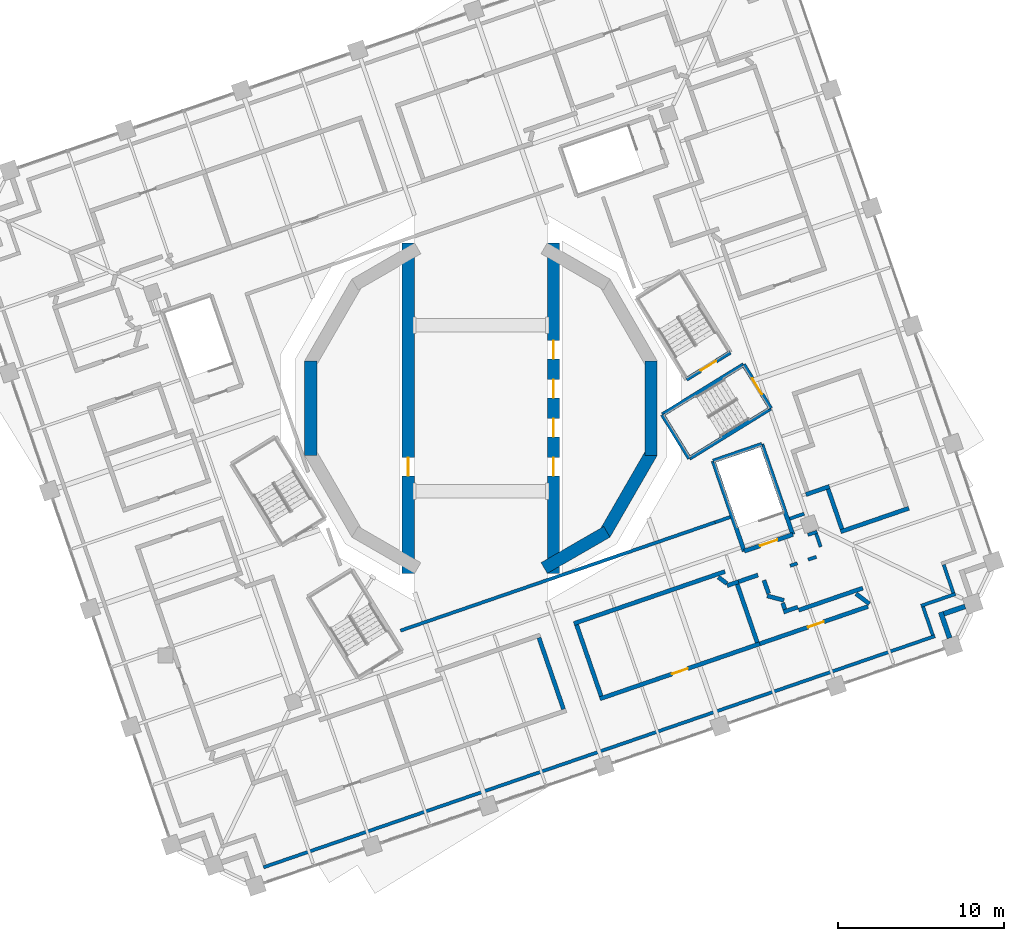
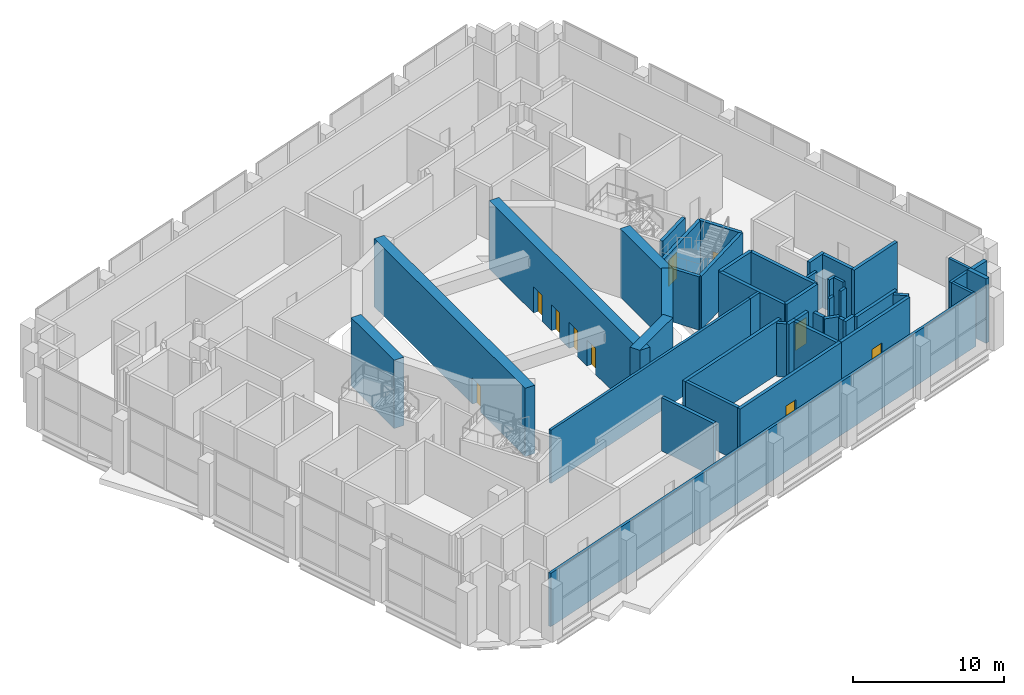
# One storey, part 12 of 20: 46 walls, 10 doors, 10 openings.
"""IFC4 building model written with IfcOpenShell, lengths in metres."""

from ifc_helpers import new_model, si_unit, direction, frame, frame_2d, origin, place, context, subcontext, project, spatial, rectangle, extrude, material, layer, layer_set, type_object, element, fill, save


model = new_model("IFC4")

# Units and contexts
model_context = context("Model", 3, precision=1e-05, world=origin(), true_north=direction((0.0, 1.0)))
body_context = subcontext(model_context, "Body", "Model", "MODEL_VIEW")
ifc_project = project(units=[si_unit("LENGTHUNIT", "METRE"), si_unit("AREAUNIT", "SQUARE_METRE"), si_unit("VOLUMEUNIT", "CUBIC_METRE"), si_unit("PLANEANGLEUNIT", "RADIAN"), si_unit("MASSUNIT", "GRAM", prefix="KILO")], contexts=[model_context])

# Site, building, storey
site_placement = place(None, origin())
site = spatial("IfcSite", under=ifc_project, at=site_placement, CompositionType="ELEMENT")
building_placement = place(site_placement, origin())
building = spatial("IfcBuilding", under=site, at=building_placement, Name="Cantera Rosa Tower", CompositionType="ELEMENT")
storey_placement = place(building_placement, frame((0.0, 0.0, 142.10009765625)))
storey = spatial("IfcBuildingStorey", under=building, at=storey_placement, Name="L30", CompositionType="ELEMENT", Elevation=142.10009765625)

# Walls
ifc_material_1 = material(Name="Masonry blockwork", Category="masonry")
ifc_layer_1 = layer(ifc_material_1, 0.199951171875)
ifc_layer_set_1 = layer_set([ifc_layer_1], Name="Blockwork partition 200")
wall_type_1 = type_object("IfcWallType", Name="Blockwork partition 200", PredefinedType="PARTITIONING", material=ifc_layer_set_1)
wall_1_placement = place(storey_placement, frame((-4.8505859375, -13.409912109375, 0.0), z_axis=(0.0, 0.0, 1.0), x_axis=(0.945515345309, 0.325577535751, 0.0)))
element("IfcWall", 1, at=wall_1_placement, inside=storey, type_object=wall_type_1, Name="Partition L30-6", PredefinedType="PARTITIONING", context=body_context, shape_type="SweptSolid", body=[
    extrude(rectangle(XDim=20.05224609375, YDim=0.199951171875, at=frame_2d((10.026123046875, 0.0))), origin(), (0.0, 0.0, 1.0), 4.2998046875),
])
wall_2_placement = place(storey_placement, frame((14.109130859375, -6.88134765625, 0.0), z_axis=(0.0, 0.0, 1.0), x_axis=(0.945500872675, 0.325619562943, 0.0)))
element("IfcWall", 2, at=wall_2_placement, inside=storey, type_object=wall_type_1, Name="Partition L30-7", PredefinedType="PARTITIONING", context=body_context, shape_type="SweptSolid", body=[
    extrude(rectangle(XDim=0.97314453125, YDim=0.199951171875, at=frame_2d((0.486572265625, 0.0))), origin(), (0.0, 0.0, 1.0), 4.2998046875),
])
for number, where, z_axis, x_axis, name in (
    (3, (27.23681640625, -13.677734375, 0.0), (0.0, 0.0, 1.0), (-0.32553083102, 0.945531426266, 0.0), "Partition L30-125"),
    (4, (28.476806640625, -11.135498046875, 0.0), (0.0, 0.0, 1.0), (-0.32553083102, 0.945531426266, 0.0), "Partition L30-127"),
):
    element("IfcWall", number, at=place(storey_placement, frame(where, z_axis=z_axis, x_axis=x_axis)), inside=storey, type_object=wall_type_1, Name=name, PredefinedType="PARTITIONING", context=body_context, shape_type="SweptSolid", body=[
        extrude(rectangle(XDim=1.800048828125, YDim=0.199951171875, at=frame_2d((0.89990234375, 0.0))), origin(), (0.0, 0.0, 1.0), 4.2998046875),
    ])
wall_3_placement = place(storey_placement, frame((26.523681640625, -11.913818359375, 0.0), z_axis=(0.0, 0.0, 1.0), x_axis=(0.945519108217, 0.325566607618, 0.0)))
element("IfcWall", 5, at=wall_3_placement, inside=storey, type_object=wall_type_1, Name="Partition L30-131", PredefinedType="PARTITIONING", context=body_context, shape_type="SweptSolid", body=[
    extrude(rectangle(XDim=2.2001953125, YDim=0.199951171875, at=frame_2d((1.10009765625, 0.0))), origin(), (0.0, 0.0, 1.0), 4.2998046875),
])
wall_4_placement = place(storey_placement, frame((-13.104248046875, -27.674072265625, 0.0), z_axis=(0.0, 0.0, 1.0), x_axis=(0.945518674851, 0.325567866209, 0.0)))
element("IfcWall", 6, at=wall_4_placement, inside=storey, type_object=wall_type_1, Name="Partition L30-132", PredefinedType="PARTITIONING", context=body_context, shape_type="SweptSolid", body=[
    extrude(rectangle(XDim=42.800048828125, YDim=0.199951171875, at=frame_2d((21.39990234375, 0.0))), origin(), (0.0, 0.0, 1.0), 4.2998046875),
])
wall_5_placement = place(storey_placement, frame((19.7109375, -7.638916015625, 0.0), z_axis=(0.0, 0.0, 1.0), x_axis=(0.945618991409, 0.325276379539, 0.0)))
element("IfcWall", 7, at=wall_5_placement, inside=storey, type_object=wall_type_1, Name="Partition L30-133", PredefinedType="PARTITIONING", context=body_context, shape_type="SweptSolid", body=[
    extrude(rectangle(XDim=0.58984375, YDim=0.199951171875, at=frame_2d((0.294921875, 0.0))), origin(), (0.0, 0.0, 1.0), 4.2998046875),
])
wall_6_placement = place(storey_placement, frame((18.64501953125, -9.50244140625, 0.0), z_axis=(0.0, 0.0, 1.0), x_axis=(0.945578217831, 0.325394889271, 0.0)))
element("IfcWall", 8, at=wall_6_placement, inside=storey, type_object=wall_type_1, Name="Partition L30-134", PredefinedType="PARTITIONING", context=body_context, shape_type="SweptSolid", body=[
    extrude(rectangle(XDim=0.45458984375, YDim=0.199951171875, at=frame_2d((0.227294921875, 0.0))), origin(), (0.0, 0.0, 1.0), 4.2998046875),
])
wall_7_placement = place(storey_placement, frame((19.721435546875, -9.1318359375, 0.0), z_axis=(0.0, 0.0, 1.0), x_axis=(0.945624175408, 0.325261308617, 0.0)))
element("IfcWall", 9, at=wall_7_placement, inside=storey, type_object=wall_type_1, Name="Partition L30-135", PredefinedType="PARTITIONING", context=body_context, shape_type="SweptSolid", body=[
    extrude(rectangle(XDim=0.526123046875, YDim=0.199951171875, at=frame_2d((0.26318359375, 0.0))), origin(), (0.0, 0.0, 1.0), 4.2998046875),
])
wall_8_placement = place(storey_placement, frame((20.47705078125, -8.35888671875, 0.0), z_axis=(0.0, 0.0, 1.0), x_axis=(-0.325564663689, 0.94551977756, 0.0)))
element("IfcWall", 10, at=wall_8_placement, inside=storey, type_object=wall_type_1, Name="Partition L30-136", PredefinedType="PARTITIONING", context=body_context, shape_type="SweptSolid", body=[
    extrude(rectangle(XDim=0.830078125, YDim=0.199951171875, at=frame_2d((0.4150390625, 0.0))), origin(), (0.0, 0.0, 1.0), 4.2998046875),
])
wall_9_placement = place(storey_placement, frame((18.60888671875, -6.66455078125, 0.0), z_axis=(0.0, 0.0, 1.0), x_axis=(0.945549572444, 0.325478119158, 0.0)))
element("IfcWall", 11, at=wall_9_placement, inside=storey, type_object=wall_type_1, Name="Partition L30-137", PredefinedType="PARTITIONING", context=body_context, shape_type="SweptSolid", body=[
    extrude(rectangle(XDim=0.9248046875, YDim=0.199951171875, at=frame_2d((0.46240234375, 0.0))), origin(), (0.0, 0.0, 1.0), 4.2998046875),
])
ifc_material_2 = material(Name="Hollow clay masonry with cantera stone cladding", Category="masonry")
ifc_layer_2 = layer(ifc_material_2, 0.300048828125)
ifc_layer_set_2 = layer_set([ifc_layer_2], Name="EW-LOGGIA 300")
wall_type_2 = type_object("IfcWallType", Name="EW-LOGGIA 300", PredefinedType="SOLIDWALL", material=ifc_layer_set_2)
wall_10_placement = place(storey_placement, frame((28.250732421875, -13.857421875, 0.0), z_axis=(0.0, 0.0, 1.0), x_axis=(-0.325666906351, 0.945484566827, 0.0)))
element("IfcWall", 12, at=wall_10_placement, inside=storey, type_object=wall_type_2, Name="EN-L30-W29a", PredefinedType="SOLIDWALL", context=body_context, shape_type="SweptSolid", body=[
    extrude(rectangle(XDim=1.64990234375, YDim=0.300048828125, at=frame_2d((0.824951171875, 0.0))), origin(), (0.0, 0.0, 1.0), 5.199951171875),
])
wall_11_placement = place(storey_placement, frame((27.904052734375, -12.390380859375, 0.0), z_axis=(0.0, 0.0, 1.0), x_axis=(0.945545797087, 0.325489086777, 0.0)))
element("IfcWall", 13, at=wall_11_placement, inside=storey, type_object=wall_type_2, Name="EN-L30-W29b", PredefinedType="SOLIDWALL", context=body_context, shape_type="SweptSolid", body=[
    extrude(rectangle(XDim=1.35009765625, YDim=0.300048828125, at=frame_2d((0.675048828125, 0.0))), origin(), (0.0, 0.0, 1.0), 5.199951171875),
])
ifc_material_3 = material(Name="Masonry blockwork", Category="masonry")
ifc_layer_3 = layer(ifc_material_3, 0.25)
ifc_layer_set_3 = layer_set([ifc_layer_3], Name="Fire-rated wall 250")
wall_type_3 = type_object("IfcWallType", Name="Fire-rated wall 250", PredefinedType="PARTITIONING", material=ifc_layer_set_3)
wall_12_placement = place(storey_placement, frame((4.977783203125, -18.142822265625, 0.0), z_axis=(0.0, 0.0, 1.0), x_axis=(-0.325549115789, 0.945525130924, 0.0)))
element("IfcWall", 14, at=wall_12_placement, inside=storey, type_object=wall_type_3, Name="Fire wall L30-41", PredefinedType="PARTITIONING", context=body_context, shape_type="SweptSolid", body=[
    extrude(rectangle(XDim=4.5498046875, YDim=0.25, at=frame_2d((2.27490234375, 0.0))), origin(), (0.0, 0.0, 1.0), 4.2998046875),
])
wall_13_placement = place(storey_placement, frame((16.655029296875, -14.1220703125, 0.0), z_axis=(0.0, 0.0, 1.0), x_axis=(-0.325523563079, 0.945533928466, 0.0)))
element("IfcWall", 15, at=wall_13_placement, inside=storey, type_object=wall_type_3, Name="Fire wall L30-43", PredefinedType="PARTITIONING", context=body_context, shape_type="SweptSolid", body=[
    extrude(rectangle(XDim=3.705078125, YDim=0.25, at=frame_2d((1.8525390625, 0.0))), origin(), (0.0, 0.0, 1.0), 4.2998046875),
])
wall_14_placement = place(storey_placement, frame((7.247314453125, -17.361328125, 0.0), z_axis=(0.0, 0.0, 1.0), x_axis=(-0.325597086626, 0.94550861296, 0.0)))
element("IfcWall", 16, at=wall_14_placement, inside=storey, type_object=wall_type_3, Name="Fire wall L30-47", PredefinedType="PARTITIONING", context=body_context, shape_type="SweptSolid", body=[
    extrude(rectangle(XDim=4.550048828125, YDim=0.25, at=frame_2d((2.27490234375, 0.0))), origin(), (0.0, 0.0, 1.0), 4.2998046875),
])
wall_15_placement = place(storey_placement, frame((23.41552734375, -11.794189453125, 0.0), z_axis=(0.0, 0.0, 1.0), x_axis=(-0.798630919601, 0.601821114831, 0.0)))
element("IfcWall", 17, at=wall_15_placement, inside=storey, type_object=wall_type_3, Name="Fire wall L30-49", PredefinedType="PARTITIONING", context=body_context, shape_type="SweptSolid", body=[
    extrude(rectangle(XDim=1.00732421875, YDim=0.25, at=frame_2d((0.503662109375, 0.0))), origin(), (0.0, 0.0, 1.0), 4.2998046875),
])
wall_16_placement = place(storey_placement, frame((21.75830078125, -7.288330078125, 0.0), z_axis=(0.0, 0.0, 1.0), x_axis=(-0.325604144092, 0.945506182608, 0.0)))
element("IfcWall", 18, at=wall_16_placement, inside=storey, type_object=wall_type_3, Name="Fire wall L30-56", PredefinedType="PARTITIONING", context=body_context, shape_type="SweptSolid", body=[
    extrude(rectangle(XDim=2.550048828125, YDim=0.25, at=frame_2d((1.27490234375, 0.0))), origin(), (0.0, 0.0, 1.0), 4.2998046875),
])
wall_17_placement = place(storey_placement, frame((5.60693359375, -12.981689453125, 0.0), z_axis=(0.0, 0.0, 1.0), x_axis=(0.945527088847, 0.325543429141, 0.0)))
element("IfcWall", 19, at=wall_17_placement, inside=storey, type_object=wall_type_3, Name="Fire wall L30-66", PredefinedType="PARTITIONING", context=body_context, shape_type="SweptSolid", body=[
    extrude(rectangle(XDim=9.623291015625, YDim=0.25, at=frame_2d((4.8115234375, 0.0))), origin(), (0.0, 0.0, 1.0), 4.2998046875),
])
wall_18_placement = place(storey_placement, frame((21.680908203125, -7.447265625, 0.0), z_axis=(0.0, 0.0, 1.0), x_axis=(0.945510679032, 0.325591086849, 0.0)))
element("IfcWall", 20, at=wall_18_placement, inside=storey, type_object=wall_type_3, Name="Fire wall L30-67", PredefinedType="PARTITIONING", context=body_context, shape_type="SweptSolid", body=[
    extrude(rectangle(XDim=4.349853515625, YDim=0.25, at=frame_2d((2.1748046875, 0.0))), origin(), (0.0, 0.0, 1.0), 4.2998046875),
])
wall_19_placement = place(storey_placement, frame((19.59228515625, -5.205078125, 0.0), z_axis=(0.0, 0.0, 1.0), x_axis=(0.945484008051, 0.325668528598, 0.0)))
element("IfcWall", 21, at=wall_19_placement, inside=storey, type_object=wall_type_3, Name="Fire wall L30-68", PredefinedType="PARTITIONING", context=body_context, shape_type="SweptSolid", body=[
    extrude(rectangle(XDim=1.494873046875, YDim=0.25, at=frame_2d((0.74755859375, 0.0))), origin(), (0.0, 0.0, 1.0), 4.2998046875),
])
wall_20_placement = place(storey_placement, frame((17.254150390625, -11.31298828125, 0.0), z_axis=(0.0, 0.0, 1.0), x_axis=(0.965905398438, -0.258895270848, 0.0)))
element("IfcWall", 22, at=wall_20_placement, inside=storey, type_object=wall_type_3, Name="Fire wall L30-84", PredefinedType="PARTITIONING", context=body_context, shape_type="SweptSolid", body=[
    extrude(rectangle(XDim=1.047607421875, YDim=0.25, at=frame_2d((0.52392578125, 0.0))), origin(), (0.0, 0.0, 1.0), 4.2998046875),
])

# Wall, opening, door
wall_21_placement = place(storey_placement, frame((7.169677734375, -17.520263671875, 0.0), z_axis=(0.0, 0.0, 1.0), x_axis=(0.945518381877, 0.325568717067, 0.0)))
wall_21 = element("IfcWall", 23, at=wall_21_placement, inside=storey, type_object=wall_type_3, Name="Fire wall L30-91", PredefinedType="PARTITIONING", context=body_context, shape_type="SweptSolid", body=[
    extrude(rectangle(XDim=10.199951171875, YDim=0.25, at=frame_2d((5.10009765625, 0.0))), origin(), (0.0, 0.0, 1.0), 4.2998046875),
])
opening_1_placement = place(wall_21_placement, frame((4.60009765625, 0.0, 0.0)))
opening_1 = element("IfcOpeningElement", 24, at=opening_1_placement, cuts=wall_21, Name="Opening L30-010", PredefinedType="OPENING", context=body_context, shape_type="SweptSolid", body=[
    extrude(rectangle(XDim=1.0, YDim=2.10009765625, at=frame_2d((0.5, 1.050048828125))), frame((0.0, 0.135009765625, 0.0), z_axis=(0.0, -1.0, 0.0), x_axis=(1.0, 0.0, 0.0)), (0.0, 0.0, 1.0), 0.27001953125),
])
ifc_material_4 = material(Name="Steel S355J2 (EN 10025-2)", Category="steel")
door_type_1 = type_object("IfcDoorType", Name="Fire door 1000x2100", OperationType="NOTDEFINED", PredefinedType="DOOR", material=ifc_material_4)
door_1_placement = place(opening_1_placement, origin())
door_1 = element("IfcDoor", 25, at=door_1_placement, inside=storey, type_object=door_type_1, Name="Door L30-010", OverallHeight=2.10009765625, OverallWidth=1.0, PredefinedType="DOOR", context=body_context, shape_type="SweptSolid", body=[
    extrude(rectangle(XDim=1.0, YDim=2.10009765625, at=frame_2d((0.5, 1.050048828125))), frame((0.0, 0.02490234375, 0.0), z_axis=(0.0, -1.0, 0.0), x_axis=(1.0, 0.0, 0.0)), (0.0, 0.0, 1.0), 0.050048828125),
])
fill(opening_1, door_1)

wall_22_placement = place(storey_placement, frame((16.81396484375, -14.199462890625, 0.0), z_axis=(0.0, 0.0, 1.0), x_axis=(0.94551899045, 0.325566949642, 0.0)))
wall_22 = element("IfcWall", 26, at=wall_22_placement, inside=storey, type_object=wall_type_3, Name="Fire wall L30-92", PredefinedType="PARTITIONING", context=body_context, shape_type="SweptSolid", body=[
    extrude(rectangle(XDim=6.89013671875, YDim=0.25, at=frame_2d((3.445068359375, 0.0))), origin(), (0.0, 0.0, 1.0), 4.2998046875),
])
opening_2_placement = place(wall_22_placement, frame((3.074951171875, 0.0, 0.0)))
opening_2 = element("IfcOpeningElement", 27, at=opening_2_placement, cuts=wall_22, Name="Opening L30-011", PredefinedType="OPENING", context=body_context, shape_type="SweptSolid", body=[
    extrude(rectangle(XDim=1.0, YDim=2.10009765625, at=frame_2d((0.5, 1.050048828125))), frame((0.0, 0.135009765625, 0.0), z_axis=(0.0, -1.0, 0.0), x_axis=(1.0, 0.0, 0.0)), (0.0, 0.0, 1.0), 0.27001953125),
])
door_2_placement = place(opening_2_placement, origin())
door_2 = element("IfcDoor", 28, at=door_2_placement, inside=storey, type_object=door_type_1, Name="Door L30-011", OverallHeight=2.10009765625, OverallWidth=1.0, PredefinedType="DOOR", context=body_context, shape_type="SweptSolid", body=[
    extrude(rectangle(XDim=1.0, YDim=2.10009765625, at=frame_2d((0.5, 1.050048828125))), frame((0.0, 0.02490234375, 0.0), z_axis=(0.0, -1.0, 0.0), x_axis=(1.0, 0.0, 0.0)), (0.0, 0.0, 1.0), 0.050048828125),
])
fill(opening_2, door_2)

# Walls
wall_23_placement = place(storey_placement, frame((14.822265625, -10.5703125, 0.0), z_axis=(0.0, 0.0, 1.0), x_axis=(-0.798619638784, 0.601836084452, 0.0)))
element("IfcWall", 29, at=wall_23_placement, inside=storey, type_object=wall_type_3, Name="Fire wall L30-93", PredefinedType="PARTITIONING", context=body_context, shape_type="SweptSolid", body=[
    extrude(rectangle(XDim=0.6376953125, YDim=0.25, at=frame_2d((0.31884765625, 0.0))), origin(), (0.0, 0.0, 1.0), 4.2998046875),
])
wall_24_placement = place(storey_placement, frame((14.83935546875, -10.696533203125, 0.0), z_axis=(0.0, 0.0, 1.0), x_axis=(0.945615553509, 0.325286373773, 0.0)))
element("IfcWall", 30, at=wall_24_placement, inside=storey, type_object=wall_type_3, Name="Fire wall L30-94", PredefinedType="PARTITIONING", context=body_context, shape_type="SweptSolid", body=[
    extrude(rectangle(XDim=0.7265625, YDim=0.25, at=frame_2d((0.36328125, 0.0))), origin(), (0.0, 0.0, 1.0), 4.2998046875),
])
wall_25_placement = place(storey_placement, frame((15.5263671875, -10.460205078125, 0.0), z_axis=(0.0, 0.0, 1.0), x_axis=(0.945479842525, 0.325680621742, 0.0)))
element("IfcWall", 31, at=wall_25_placement, inside=storey, type_object=wall_type_3, Name="Fire wall L30-95", PredefinedType="PARTITIONING", context=body_context, shape_type="SweptSolid", body=[
    extrude(rectangle(XDim=1.237548828125, YDim=0.25, at=frame_2d((0.61865234375, 0.0))), origin(), (0.0, 0.0, 1.0), 4.2998046875),
])
wall_26_placement = place(storey_placement, frame((17.340087890625, -11.1787109375, 0.0), z_axis=(0.0, 0.0, 1.0), x_axis=(-0.325424612824, 0.94556798876, 0.0)))
element("IfcWall", 32, at=wall_26_placement, inside=storey, type_object=wall_type_3, Name="Fire wall L30-96", PredefinedType="PARTITIONING", context=body_context, shape_type="SweptSolid", body=[
    extrude(rectangle(XDim=0.850830078125, YDim=0.25, at=frame_2d((0.42529296875, 0.0))), origin(), (0.0, 0.0, 1.0), 4.2998046875),
])
wall_27_placement = place(storey_placement, frame((18.320556640625, -12.126220703125, 0.0), z_axis=(0.0, 0.0, 1.0), x_axis=(-0.325433443452, 0.945564949585, 0.0)))
element("IfcWall", 33, at=wall_27_placement, inside=storey, type_object=wall_type_3, Name="Fire wall L30-97", PredefinedType="PARTITIONING", context=body_context, shape_type="SweptSolid", body=[
    extrude(rectangle(XDim=0.405029296875, YDim=0.25, at=frame_2d((0.20263671875, 0.0))), origin(), (0.0, 0.0, 1.0), 4.2998046875),
])
wall_28_placement = place(storey_placement, frame((18.242919921875, -12.28515625, 0.0), z_axis=(0.0, 0.0, 1.0), x_axis=(0.945455986939, 0.325749868398, 0.0)))
element("IfcWall", 34, at=wall_28_placement, inside=storey, type_object=wall_type_3, Name="Fire wall L30-98", PredefinedType="PARTITIONING", context=body_context, shape_type="SweptSolid", body=[
    extrude(rectangle(XDim=0.906005859375, YDim=0.25, at=frame_2d((0.453125, 0.0))), origin(), (0.0, 0.0, 1.0), 4.2998046875),
])
wall_29_placement = place(storey_placement, frame((19.1533203125, -12.17626953125, 0.0), z_axis=(0.0, 0.0, 1.0), x_axis=(0.945519503067, 0.325565460882, 0.0)))
element("IfcWall", 35, at=wall_29_placement, inside=storey, type_object=wall_type_3, Name="Fire wall L30-99", PredefinedType="PARTITIONING", context=body_context, shape_type="SweptSolid", body=[
    extrude(rectangle(XDim=4.087646484375, YDim=0.25, at=frame_2d((2.0439453125, 0.0))), origin(), (0.0, 0.0, 1.0), 4.2998046875),
])
ifc_material_5 = material(Name="Concrete C60/75", Category="concrete")
ifc_layer_4 = layer(ifc_material_5, 0.75)
ifc_layer_set_4 = layer_set([ifc_layer_4], Name="RC CORE WALL 750 C60/75")
wall_type_4 = type_object("IfcWallType", Name="RC CORE WALL 750 C60/75", PredefinedType="SHEAR", material=ifc_layer_set_4)
wall_30_placement = place(storey_placement, frame((-10.250244140625, -2.846923828125, 0.0), z_axis=(0.0, 0.0, 1.0), x_axis=(0.0, 1.0, 0.0)))
element("IfcWall", 36, at=wall_30_placement, inside=storey, type_object=wall_type_4, Name="CW-W3 L30", PredefinedType="SHEAR", context=body_context, shape_type="SweptSolid", body=[
    extrude(rectangle(XDim=5.69384765625, YDim=0.75, at=frame_2d((2.846923828125, 0.0))), origin(), (0.0, 0.0, 1.0), 5.5),
])

# Wall, opening, door
wall_31_placement = place(storey_placement, frame((-4.375, 9.95947265625, 0.0), z_axis=(0.0, 0.0, 1.0), x_axis=(0.0, -1.0, 0.0)))
wall_31 = element("IfcWall", 37, at=wall_31_placement, inside=storey, type_object=wall_type_4, Name="CW-W6 L30", PredefinedType="SHEAR", context=body_context, shape_type="SweptSolid", body=[
    extrude(rectangle(XDim=19.9189453125, YDim=0.75, at=frame_2d((9.95947265625, 0.0))), origin(), (0.0, 0.0, 1.0), 5.5),
])
opening_3_placement = place(wall_31_placement, frame((12.9345703125, 0.0, 0.0)))
opening_3 = element("IfcOpeningElement", 38, at=opening_3_placement, cuts=wall_31, Name="Opening LD-P3-L30", PredefinedType="OPENING", context=body_context, shape_type="SweptSolid", body=[
    extrude(rectangle(XDim=1.10009765625, YDim=2.10009765625, at=frame_2d((0.550048828125, 1.050048828125))), frame((0.0, 0.385009765625, 0.0), z_axis=(0.0, -1.0, 0.0), x_axis=(1.0, 0.0, 0.0)), (0.0, 0.0, 1.0), 0.77001953125),
])
ifc_material_6 = material(Name="Steel S355J2 (EN 10025-2)", Category="steel")
door_type_2 = type_object("IfcDoorType", Name="LANDING DOOR 1100x2100", OperationType="NOTDEFINED", PredefinedType="DOOR", material=ifc_material_6)
door_3_placement = place(opening_3_placement, origin())
door_3 = element("IfcDoor", 39, at=door_3_placement, inside=storey, type_object=door_type_2, Name="LANDING DOOR P3 L30", OperationType="SLIDING_TO_LEFT", OverallHeight=2.10009765625, OverallWidth=1.10009765625, PredefinedType="DOOR", context=body_context, shape_type="SweptSolid", body=[
    extrude(rectangle(XDim=1.10009765625, YDim=2.10009765625, at=frame_2d((0.550048828125, 1.050048828125))), frame((0.0, 0.02490234375, 0.0), z_axis=(0.0, -1.0, 0.0), x_axis=(1.0, 0.0, 0.0)), (0.0, 0.0, 1.0), 0.050048828125),
])
fill(opening_3, door_3)

# Walls
wall_32_placement = place(storey_placement, frame((10.250244140625, 2.846923828125, 0.0), z_axis=(0.0, 0.0, 1.0), x_axis=(0.0, -1.0, 0.0)))
element("IfcWall", 40, at=wall_32_placement, inside=storey, type_object=wall_type_4, Name="CW-E3 L30", PredefinedType="SHEAR", context=body_context, shape_type="SweptSolid", body=[
    extrude(rectangle(XDim=5.69384765625, YDim=0.75, at=frame_2d((2.846923828125, 0.0))), origin(), (0.0, 0.0, 1.0), 5.5),
])
wall_33_placement = place(storey_placement, frame((10.300537109375, -2.659423828125, 0.0), z_axis=(0.0, 0.0, 1.0), x_axis=(-0.500021842983, -0.866012792365, 0.0)))
element("IfcWall", 41, at=wall_33_placement, inside=storey, type_object=wall_type_4, Name="CW-E4 L30", PredefinedType="SHEAR", context=body_context, shape_type="SweptSolid", body=[
    extrude(rectangle(XDim=5.694091796875, YDim=0.75, at=frame_2d((2.84716796875, 0.0))), origin(), (0.0, 0.0, 1.0), 5.5),
])
wall_34_placement = place(storey_placement, frame((7.590576171875, -7.453369140625, 0.0), z_axis=(0.0, 0.0, 1.0), x_axis=(-0.866013176292, -0.50002117804, 0.0)))
element("IfcWall", 42, at=wall_34_placement, inside=storey, type_object=wall_type_4, Name="CW-E5 L30", PredefinedType="SHEAR", context=body_context, shape_type="SweptSolid", body=[
    extrude(rectangle(XDim=4.362548828125, YDim=0.75, at=frame_2d((2.18115234375, 0.0))), origin(), (0.0, 0.0, 1.0), 5.5),
])

# Wall, openings, doors
wall_35_placement = place(storey_placement, frame((4.375, -9.95947265625, 0.0), z_axis=(0.0, 0.0, 1.0), x_axis=(0.0, 1.0, 0.0)))
wall_35 = element("IfcWall", 43, at=wall_35_placement, inside=storey, type_object=wall_type_4, Name="CW-E6 L30", PredefinedType="SHEAR", context=body_context, shape_type="SweptSolid", body=[
    extrude(rectangle(XDim=19.9189453125, YDim=0.75, at=frame_2d((9.95947265625, 0.0))), origin(), (0.0, 0.0, 1.0), 5.5),
])
opening_4_placement = place(wall_35_placement, frame((5.884521484375, 0.0, 0.0)))
opening_4 = element("IfcOpeningElement", 44, at=opening_4_placement, cuts=wall_35, Name="Opening LD-FF1-L30", PredefinedType="OPENING", context=body_context, shape_type="SweptSolid", body=[
    extrude(rectangle(XDim=1.10009765625, YDim=2.10009765625, at=frame_2d((0.550048828125, 1.050048828125))), frame((0.0, 0.385009765625, 0.0), z_axis=(0.0, -1.0, 0.0), x_axis=(1.0, 0.0, 0.0)), (0.0, 0.0, 1.0), 0.77001953125),
])
opening_5_placement = place(wall_35_placement, frame((8.234619140625, 0.0, 0.0)))
opening_5 = element("IfcOpeningElement", 45, at=opening_5_placement, cuts=wall_35, Name="Opening LD-FF2-L30", PredefinedType="OPENING", context=body_context, shape_type="SweptSolid", body=[
    extrude(rectangle(XDim=1.10009765625, YDim=2.10009765625, at=frame_2d((0.550048828125, 1.050048828125))), frame((0.0, 0.385009765625, 0.0), z_axis=(0.0, -1.0, 0.0), x_axis=(1.0, 0.0, 0.0)), (0.0, 0.0, 1.0), 0.77001953125),
])
opening_6_placement = place(wall_35_placement, frame((10.58447265625, 0.0, 0.0)))
opening_6 = element("IfcOpeningElement", 46, at=opening_6_placement, cuts=wall_35, Name="Opening LD-P1-L30", PredefinedType="OPENING", context=body_context, shape_type="SweptSolid", body=[
    extrude(rectangle(XDim=1.10009765625, YDim=2.10009765625, at=frame_2d((0.550048828125, 1.050048828125))), frame((0.0, 0.385009765625, 0.0), z_axis=(0.0, -1.0, 0.0), x_axis=(1.0, 0.0, 0.0)), (0.0, 0.0, 1.0), 0.77001953125),
])
opening_7_placement = place(wall_35_placement, frame((12.9345703125, 0.0, 0.0)))
opening_7 = element("IfcOpeningElement", 47, at=opening_7_placement, cuts=wall_35, Name="Opening LD-P2-L30", PredefinedType="OPENING", context=body_context, shape_type="SweptSolid", body=[
    extrude(rectangle(XDim=1.10009765625, YDim=2.10009765625, at=frame_2d((0.550048828125, 1.050048828125))), frame((0.0, 0.385009765625, 0.0), z_axis=(0.0, -1.0, 0.0), x_axis=(1.0, 0.0, 0.0)), (0.0, 0.0, 1.0), 0.77001953125),
])
door_4_placement = place(opening_4_placement, origin())
door_4 = element("IfcDoor", 48, at=door_4_placement, inside=storey, type_object=door_type_2, Name="LANDING DOOR FF1 L30", OperationType="SLIDING_TO_LEFT", OverallHeight=2.10009765625, OverallWidth=1.10009765625, PredefinedType="DOOR", context=body_context, shape_type="SweptSolid", body=[
    extrude(rectangle(XDim=1.10009765625, YDim=2.10009765625, at=frame_2d((0.550048828125, 1.050048828125))), frame((0.0, 0.02490234375, 0.0), z_axis=(0.0, -1.0, 0.0), x_axis=(1.0, 0.0, 0.0)), (0.0, 0.0, 1.0), 0.050048828125),
])
fill(opening_4, door_4)
door_5_placement = place(opening_5_placement, origin())
door_5 = element("IfcDoor", 49, at=door_5_placement, inside=storey, type_object=door_type_2, Name="LANDING DOOR FF2 L30", OperationType="SLIDING_TO_LEFT", OverallHeight=2.10009765625, OverallWidth=1.10009765625, PredefinedType="DOOR", context=body_context, shape_type="SweptSolid", body=[
    extrude(rectangle(XDim=1.10009765625, YDim=2.10009765625, at=frame_2d((0.550048828125, 1.050048828125))), frame((0.0, 0.02490234375, 0.0), z_axis=(0.0, -1.0, 0.0), x_axis=(1.0, 0.0, 0.0)), (0.0, 0.0, 1.0), 0.050048828125),
])
fill(opening_5, door_5)
door_6_placement = place(opening_6_placement, origin())
door_6 = element("IfcDoor", 50, at=door_6_placement, inside=storey, type_object=door_type_2, Name="LANDING DOOR P1 L30", OperationType="SLIDING_TO_LEFT", OverallHeight=2.10009765625, OverallWidth=1.10009765625, PredefinedType="DOOR", context=body_context, shape_type="SweptSolid", body=[
    extrude(rectangle(XDim=1.10009765625, YDim=2.10009765625, at=frame_2d((0.550048828125, 1.050048828125))), frame((0.0, 0.02490234375, 0.0), z_axis=(0.0, -1.0, 0.0), x_axis=(1.0, 0.0, 0.0)), (0.0, 0.0, 1.0), 0.050048828125),
])
fill(opening_6, door_6)
door_7_placement = place(opening_7_placement, origin())
door_7 = element("IfcDoor", 51, at=door_7_placement, inside=storey, type_object=door_type_2, Name="LANDING DOOR P2 L30", OperationType="SLIDING_TO_LEFT", OverallHeight=2.10009765625, OverallWidth=1.10009765625, PredefinedType="DOOR", context=body_context, shape_type="SweptSolid", body=[
    extrude(rectangle(XDim=1.10009765625, YDim=2.10009765625, at=frame_2d((0.550048828125, 1.050048828125))), frame((0.0, 0.02490234375, 0.0), z_axis=(0.0, -1.0, 0.0), x_axis=(1.0, 0.0, 0.0)), (0.0, 0.0, 1.0), 0.050048828125),
])
fill(opening_7, door_7)

# Wall, opening, door
ifc_material_7 = material(Name="Concrete C50/60", Category="concrete")
ifc_layer_5 = layer(ifc_material_7, 0.25)
ifc_layer_set_5 = layer_set([ifc_layer_5], Name="RC stair wall 250 C50/60")
wall_type_5 = type_object("IfcWallType", Name="RC stair wall 250", PredefinedType="SOLIDWALL", material=ifc_layer_set_5)
wall_36_placement = place(storey_placement, frame((15.028564453125, 3.36669921875, 0.0), z_axis=(0.0, 0.0, 1.0), x_axis=(-0.851111635158, -0.52498474692, 0.0)))
wall_36 = element("IfcWall", 52, at=wall_36_placement, inside=storey, type_object=wall_type_5, Name="STAIR WALL ST-31 L30-11", PredefinedType="SOLIDWALL", context=body_context, shape_type="SweptSolid", body=[
    extrude(rectangle(XDim=3.10009765625, YDim=0.25, at=frame_2d((1.550048828125, 0.0))), origin(), (0.0, 0.0, 1.0), 4.2998046875),
])
opening_8_placement = place(wall_36_placement, frame((1.0, 0.0, 0.0)))
opening_8 = element("IfcOpeningElement", 53, at=opening_8_placement, cuts=wall_36, Name="Opening L30-ST-31", PredefinedType="OPENING", context=body_context, shape_type="SweptSolid", body=[
    extrude(rectangle(XDim=1.10009765625, YDim=2.10009765625, at=frame_2d((0.550048828125, 1.050048828125))), frame((0.0, 0.135009765625, 0.0), z_axis=(0.0, -1.0, 0.0), x_axis=(1.0, 0.0, 0.0)), (0.0, 0.0, 1.0), 0.27001953125),
])
ifc_material_8 = material(Name="Steel S355J2 (EN 10025-2)", Category="steel")
door_type_3 = type_object("IfcDoorType", Name="STAIR DOOR 1100x2100", OperationType="NOTDEFINED", PredefinedType="DOOR", material=ifc_material_8)
door_8_placement = place(opening_8_placement, origin())
door_8 = element("IfcDoor", 54, at=door_8_placement, inside=storey, type_object=door_type_3, Name="DOOR L30-ST-31", OperationType="NOTDEFINED", OverallHeight=2.10009765625, OverallWidth=1.10009765625, PredefinedType="DOOR", context=body_context, shape_type="SweptSolid", body=[
    extrude(rectangle(XDim=1.10009765625, YDim=2.10009765625, at=frame_2d((0.550048828125, 1.050048828125))), frame((0.0, 0.02490234375, 0.0), z_axis=(0.0, -1.0, 0.0), x_axis=(1.0, 0.0, 0.0)), (0.0, 0.0, 1.0), 0.050048828125),
])
fill(opening_8, door_8)

wall_37_placement = place(storey_placement, frame((15.833251953125, 2.62841796875, 0.0), z_axis=(0.0, 0.0, 1.0), x_axis=(0.52498474692, -0.851111635158, 0.0)))
wall_37 = element("IfcWall", 55, at=wall_37_placement, inside=storey, type_object=wall_type_5, Name="STAIR WALL ST-34 L30-11", PredefinedType="SOLIDWALL", context=body_context, shape_type="SweptSolid", body=[
    extrude(rectangle(XDim=3.10009765625, YDim=0.25, at=frame_2d((1.550048828125, 0.0))), origin(), (0.0, 0.0, 1.0), 4.2998046875),
])
opening_9_placement = place(wall_37_placement, frame((1.0, 0.0, 0.0)))
opening_9 = element("IfcOpeningElement", 56, at=opening_9_placement, cuts=wall_37, Name="Opening L30-ST-34", PredefinedType="OPENING", context=body_context, shape_type="SweptSolid", body=[
    extrude(rectangle(XDim=1.10009765625, YDim=2.10009765625, at=frame_2d((0.550048828125, 1.050048828125))), frame((0.0, 0.135009765625, 0.0), z_axis=(0.0, -1.0, 0.0), x_axis=(1.0, 0.0, 0.0)), (0.0, 0.0, 1.0), 0.27001953125),
])
door_9_placement = place(opening_9_placement, origin())
door_9 = element("IfcDoor", 57, at=door_9_placement, inside=storey, type_object=door_type_3, Name="DOOR L30-ST-34", OperationType="NOTDEFINED", OverallHeight=2.10009765625, OverallWidth=1.10009765625, PredefinedType="DOOR", context=body_context, shape_type="SweptSolid", body=[
    extrude(rectangle(XDim=1.10009765625, YDim=2.10009765625, at=frame_2d((0.550048828125, 1.050048828125))), frame((0.0, 0.02490234375, 0.0), z_axis=(0.0, -1.0, 0.0), x_axis=(1.0, 0.0, 0.0)), (0.0, 0.0, 1.0), 0.050048828125),
])
fill(opening_9, door_9)

# Walls
wall_38_placement = place(storey_placement, frame((17.460693359375, -0.010009765625, 0.0), z_axis=(0.0, 0.0, 1.0), x_axis=(-0.851115535943, -0.524978422868, 0.0)))
element("IfcWall", 58, at=wall_38_placement, inside=storey, type_object=wall_type_5, Name="STAIR WALL ST-34 L30-21", PredefinedType="SOLIDWALL", context=body_context, shape_type="SweptSolid", body=[
    extrude(rectangle(XDim=5.749755859375, YDim=0.25, at=frame_2d((2.875, 0.0))), origin(), (0.0, 0.0, 1.0), 4.2998046875),
])
wall_39_placement = place(storey_placement, frame((12.56689453125, -3.028564453125, 0.0), z_axis=(0.0, 0.0, 1.0), x_axis=(-0.525041793222, 0.85107644508, 0.0)))
element("IfcWall", 59, at=wall_39_placement, inside=storey, type_object=wall_type_5, Name="STAIR WALL ST-34 L30-31", PredefinedType="SOLIDWALL", context=body_context, shape_type="SweptSolid", body=[
    extrude(rectangle(XDim=3.10009765625, YDim=0.25, at=frame_2d((1.550048828125, 0.0))), origin(), (0.0, 0.0, 1.0), 4.2998046875),
])
wall_40_placement = place(storey_placement, frame((10.939208984375, -0.39013671875, 0.0), z_axis=(0.0, 0.0, 1.0), x_axis=(0.85112723745, 0.524959451453, 0.0)))
element("IfcWall", 60, at=wall_40_placement, inside=storey, type_object=wall_type_5, Name="STAIR WALL ST-34 L30-41", PredefinedType="SOLIDWALL", context=body_context, shape_type="SweptSolid", body=[
    extrude(rectangle(XDim=5.75, YDim=0.25, at=frame_2d((2.875, 0.0))), origin(), (0.0, 0.0, 1.0), 4.2998046875),
])

# Wall, opening, door
wall_41_placement = place(storey_placement, frame((18.801513671875, -7.61376953125, 0.0), z_axis=(0.0, 0.0, 1.0), x_axis=(-0.945510162329, -0.325592587344, 0.0)))
wall_41 = element("IfcWall", 61, at=wall_41_placement, inside=storey, type_object=wall_type_5, Name="STAIR WALL ST-23 L30-11", PredefinedType="SOLIDWALL", context=body_context, shape_type="SweptSolid", body=[
    extrude(rectangle(XDim=3.099853515625, YDim=0.25, at=frame_2d((1.5498046875, 0.0))), origin(), (0.0, 0.0, 1.0), 4.2998046875),
])
opening_10_placement = place(wall_41_placement, frame((1.0, 0.0, 0.0)))
opening_10 = element("IfcOpeningElement", 62, at=opening_10_placement, cuts=wall_41, Name="Opening L30-ST-23", PredefinedType="OPENING", context=body_context, shape_type="SweptSolid", body=[
    extrude(rectangle(XDim=1.10009765625, YDim=2.10009765625, at=frame_2d((0.550048828125, 1.050048828125))), frame((0.0, 0.135009765625, 0.0), z_axis=(0.0, -1.0, 0.0), x_axis=(1.0, 0.0, 0.0)), (0.0, 0.0, 1.0), 0.27001953125),
])
door_10_placement = place(opening_10_placement, origin())
door_10 = element("IfcDoor", 63, at=door_10_placement, inside=storey, type_object=door_type_3, Name="DOOR L30-ST-23", OperationType="NOTDEFINED", OverallHeight=2.10009765625, OverallWidth=1.10009765625, PredefinedType="DOOR", context=body_context, shape_type="SweptSolid", body=[
    extrude(rectangle(XDim=1.10009765625, YDim=2.10009765625, at=frame_2d((0.550048828125, 1.050048828125))), frame((0.0, 0.02490234375, 0.0), z_axis=(0.0, -1.0, 0.0), x_axis=(1.0, 0.0, 0.0)), (0.0, 0.0, 1.0), 0.050048828125),
])
fill(opening_10, door_10)

# Walls
wall_42_placement = place(storey_placement, frame((15.87060546875, -8.623046875, 0.0), z_axis=(0.0, 0.0, 1.0), x_axis=(-0.325612503367, 0.945503303882, 0.0)))
element("IfcWall", 64, at=wall_42_placement, inside=storey, type_object=wall_type_5, Name="STAIR WALL ST-23 L30-21", PredefinedType="SOLIDWALL", context=body_context, shape_type="SweptSolid", body=[
    extrude(rectangle(XDim=5.750244140625, YDim=0.25, at=frame_2d((2.875, 0.0))), origin(), (0.0, 0.0, 1.0), 4.2998046875),
])
wall_43_placement = place(storey_placement, frame((13.998291015625, -3.186279296875, 0.0), z_axis=(0.0, 0.0, 1.0), x_axis=(0.945518510753, 0.325568342783, 0.0)))
element("IfcWall", 65, at=wall_43_placement, inside=storey, type_object=wall_type_5, Name="STAIR WALL ST-23 L30-31", PredefinedType="SOLIDWALL", context=body_context, shape_type="SweptSolid", body=[
    extrude(rectangle(XDim=3.10009765625, YDim=0.25, at=frame_2d((1.550048828125, 0.0))), origin(), (0.0, 0.0, 1.0), 4.2998046875),
])
wall_44_placement = place(storey_placement, frame((16.929443359375, -2.177001953125, 0.0), z_axis=(0.0, 0.0, 1.0), x_axis=(0.32557454588, -0.945516374832, 0.0)))
element("IfcWall", 66, at=wall_44_placement, inside=storey, type_object=wall_type_5, Name="STAIR WALL ST-23 L30-41", PredefinedType="SOLIDWALL", context=body_context, shape_type="SweptSolid", body=[
    extrude(rectangle(XDim=5.75, YDim=0.25, at=frame_2d((2.875, 0.0))), origin(), (0.0, 0.0, 1.0), 4.2998046875),
])

save(model, "model.ifc")
